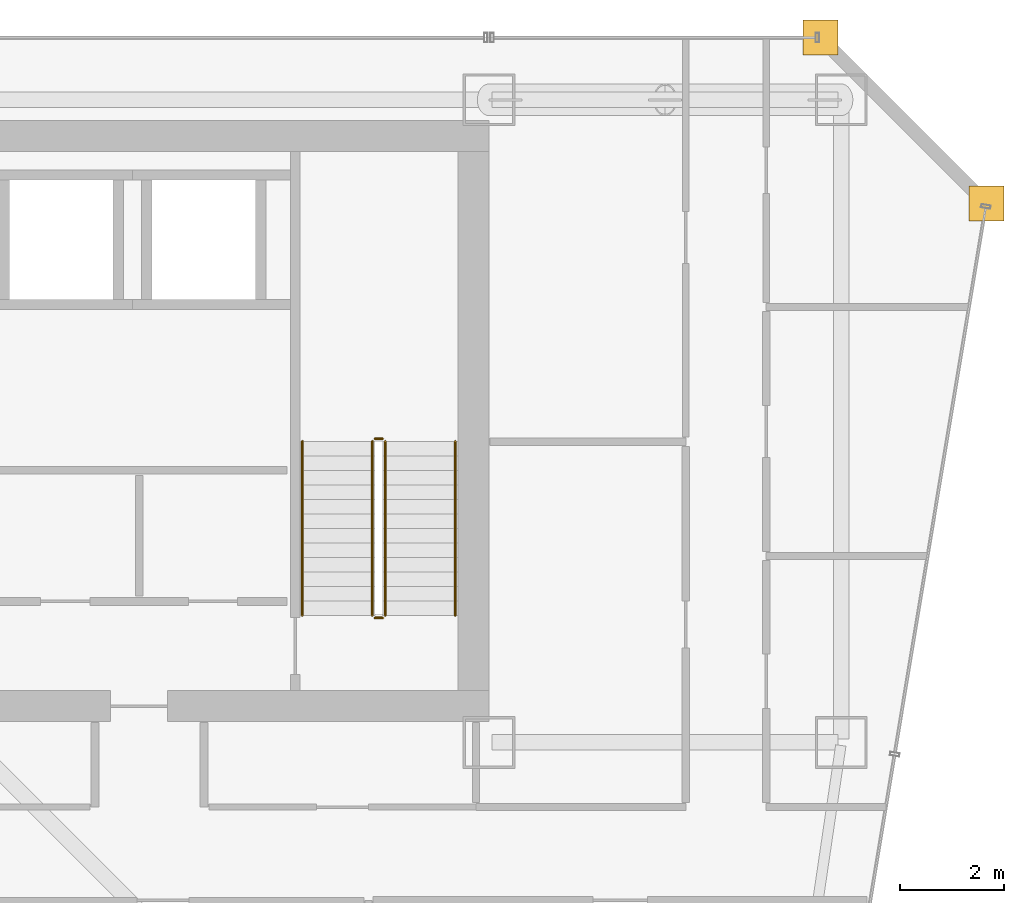
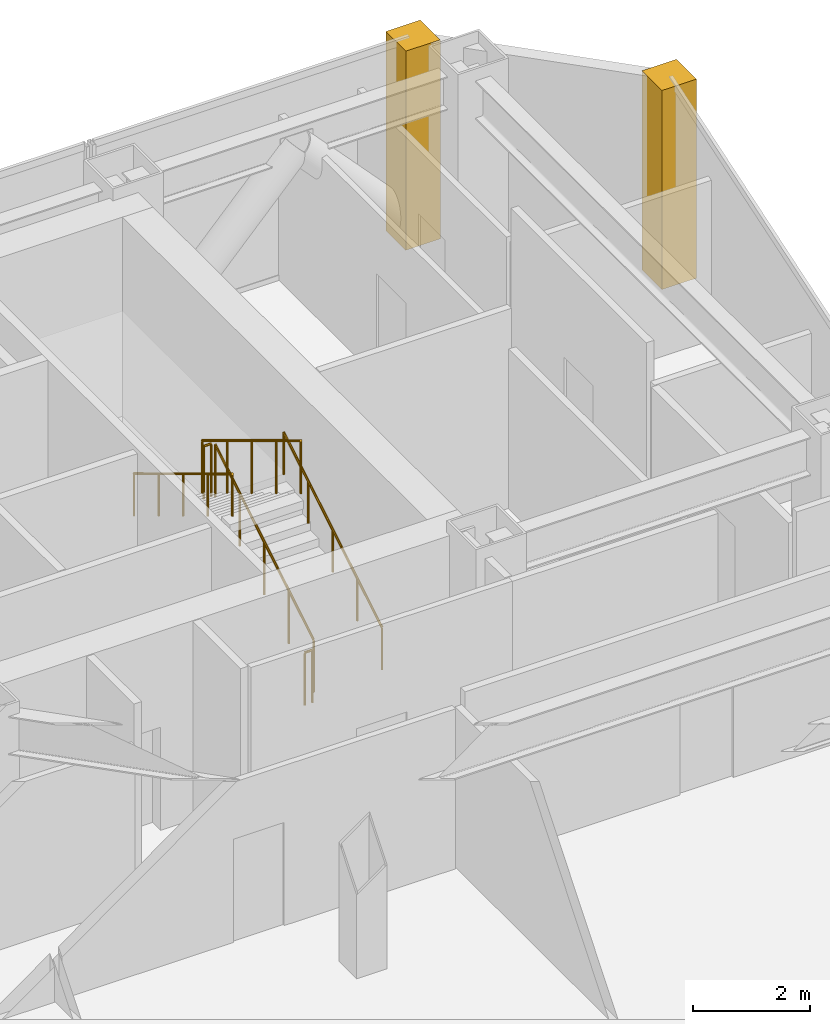
# One storey, part 37 of 37: 6 railings, 2 coverings.
"""IFC4 building model written with IfcOpenShell, lengths in metres."""

from ifc_helpers import new_model, si_unit, direction, frame, origin, origin_2d, place, context, subcontext, project, spatial, polyline, circle, outline, extrude, material, layer, layer_set, type_object, element, save


model = new_model("IFC4")

# Units and contexts
model_context = context("Model", 3, precision=1e-05, world=origin(), true_north=direction((0.0, 1.0)))
body_context = subcontext(model_context, "Body", "Model", "MODEL_VIEW")
ifc_project = project(units=[si_unit("LENGTHUNIT", "METRE"), si_unit("AREAUNIT", "SQUARE_METRE"), si_unit("VOLUMEUNIT", "CUBIC_METRE"), si_unit("PLANEANGLEUNIT", "RADIAN"), si_unit("MASSUNIT", "GRAM", prefix="KILO")], contexts=[model_context])

# Site, building, storey
site_placement = place(None, origin())
site = spatial("IfcSite", under=ifc_project, at=site_placement, CompositionType="ELEMENT")
building_placement = place(site_placement, origin())
building = spatial("IfcBuilding", under=site, at=building_placement, Name="Saevonmaru Cultural Tower", CompositionType="ELEMENT")
storey_placement = place(building_placement, frame((0.0, 0.0, 110.39990234375)))
storey = spatial("IfcBuildingStorey", under=building, at=storey_placement, Name="L23", CompositionType="ELEMENT", Elevation=110.39990234375)

# Coverings
ifc_material_1 = material(Name="Satin Bronze Anodised Aluminium", Category="aluminium")
ifc_layer = layer(ifc_material_1, 0.679931640625, Name="Satin Bronze Anodised Aluminium")
ifc_layer_set = layer_set([ifc_layer], Name="Satin Bronze Anodised Aluminium")
covering_type = type_object("IfcCoveringType", Name="CV-CORNER-CLAD", PredefinedType="CLADDING", material=ifc_layer_set)
covering_1_placement = place(storey_placement, origin())
element("IfcCovering", 1, at=covering_1_placement, inside=storey, type_object=covering_type, Name="L23 Tower Bronze Corner Cladding Pier 9", PredefinedType="CLADDING", context=body_context, shape_type="SweptSolid", body=[
    extrude(outline(polyline([(55.659912109375, 52.4599609375), (56.340087890625, 52.4599609375), (56.340087890625, 53.139892578125), (55.659912109375, 53.139892578125), (55.659912109375, 52.4599609375)])), origin(), (0.0, 0.0, 1.0), 4.150146484375),
])
covering_2_placement = place(storey_placement, origin())
element("IfcCovering", 2, at=covering_2_placement, inside=storey, type_object=covering_type, Name="L23 Tower Bronze Corner Cladding Pier 10", PredefinedType="CLADDING", context=body_context, shape_type="SweptSolid", body=[
    extrude(outline(polyline([(52.4599609375, 55.659912109375), (53.139892578125, 55.659912109375), (53.139892578125, 56.340087890625), (52.4599609375, 56.340087890625), (52.4599609375, 55.659912109375)])), origin(), (0.0, 0.0, 1.0), 4.150146484375),
])

# Railings
ifc_material_2 = material(Name="Architectural Painted Steel", Category="steel")
railing_type_1 = type_object("IfcRailingType", Name="RL-STAIR-GUARD", PredefinedType="GUARDRAIL", material=ifc_material_2)
railing_1_placement = place(storey_placement, frame((44.39990234375, 44.85009765625, 0.16943359375)))
element("IfcRailing", 3, at=railing_1_placement, inside=storey, type_object=railing_type_1, Name="L23 ST-2 stair guard 1", PredefinedType="GUARDRAIL", context=body_context, shape_type="SweptSolid", body=[
    extrude(circle(Radius=0.02392578125, at=origin_2d()), frame((0.0, 0.0, 1.09619140625), z_axis=(0.0, 0.855820338506, 0.51727318527), x_axis=(-1.0, 0.0, 0.0)), (0.0, 0.0, 1.0), 3.92578125),
    extrude(circle(Radius=0.02099609375, at=origin_2d()), origin(), (0.0, 0.0, 1.0), 1.072021484375),
    extrude(circle(Radius=0.02099609375, at=origin_2d()), frame((0.0, 0.83984375, 0.5078125)), (0.0, 0.0, 1.0), 1.072021484375),
    extrude(circle(Radius=0.02099609375, at=origin_2d()), frame((0.0, 1.679931640625, 1.015380859375)), (0.0, 0.0, 1.0), 1.072021484375),
    extrude(circle(Radius=0.02099609375, at=origin_2d()), frame((0.0, 2.52001953125, 1.52294921875)), (0.0, 0.0, 1.0), 1.072021484375),
    extrude(circle(Radius=0.02099609375, at=origin_2d()), frame((0.0, 3.35986328125, 2.03076171875)), (0.0, 0.0, 1.0), 1.072021484375),
])
railing_2_placement = place(storey_placement, frame((44.35009765625, 48.260009765625, 2.2001953125)))
element("IfcRailing", 4, at=railing_2_placement, inside=storey, type_object=railing_type_1, Name="L23 ST-2 stair guard 2", PredefinedType="GUARDRAIL", context=body_context, shape_type="SweptSolid", body=[
    extrude(circle(Radius=0.02392578125, at=origin_2d()), frame((0.0, 0.0, 1.09619140625), z_axis=(-1.0, 0.0, 0.0), x_axis=(0.0, -1.0, 0.0)), (0.0, 0.0, 1.0), 0.150146484375),
    extrude(circle(Radius=0.02099609375, at=origin_2d()), origin(), (0.0, 0.0, 1.0), 1.072021484375),
    extrude(circle(Radius=0.02099609375, at=origin_2d()), frame((-0.150146484375, 0.0, 0.0)), (0.0, 0.0, 1.0), 1.072021484375),
])
railing_3_placement = place(storey_placement, frame((44.14990234375, 48.2099609375, 2.369384765625)))
element("IfcRailing", 5, at=railing_3_placement, inside=storey, type_object=railing_type_1, Name="L23 ST-2 stair guard 3", PredefinedType="GUARDRAIL", context=body_context, shape_type="SweptSolid", body=[
    extrude(circle(Radius=0.02392578125, at=origin_2d()), frame((0.0, 0.0, 1.09619140625), z_axis=(0.0, -0.855820338506, 0.51727318527), x_axis=(1.0, 0.0, 0.0)), (0.0, 0.0, 1.0), 3.92578125),
    extrude(circle(Radius=0.02099609375, at=origin_2d()), origin(), (0.0, 0.0, 1.0), 1.072021484375),
    extrude(circle(Radius=0.02099609375, at=origin_2d()), frame((0.0, -0.83984375, 0.5078125)), (0.0, 0.0, 1.0), 1.072021484375),
    extrude(circle(Radius=0.02099609375, at=origin_2d()), frame((0.0, -1.679931640625, 1.015380859375)), (0.0, 0.0, 1.0), 1.072021484375),
    extrude(circle(Radius=0.02099609375, at=origin_2d()), frame((0.0, -2.52001953125, 1.52294921875)), (0.0, 0.0, 1.0), 1.072021484375),
    extrude(circle(Radius=0.02099609375, at=origin_2d()), frame((0.0, -3.35986328125, 2.03076171875)), (0.0, 0.0, 1.0), 1.072021484375),
])
railing_4_placement = place(storey_placement, frame((44.35009765625, 44.800048828125, 0.0)))
element("IfcRailing", 6, at=railing_4_placement, inside=storey, type_object=railing_type_1, Name="L23 ST-2 stair guard 4", PredefinedType="GUARDRAIL", context=body_context, shape_type="SweptSolid", body=[
    extrude(circle(Radius=0.02392578125, at=origin_2d()), frame((0.0, 0.0, 1.09619140625), z_axis=(-1.0, 0.0, 0.0), x_axis=(0.0, -1.0, 0.0)), (0.0, 0.0, 1.0), 0.150146484375),
    extrude(circle(Radius=0.02099609375, at=origin_2d()), origin(), (0.0, 0.0, 1.0), 1.072021484375),
    extrude(circle(Radius=0.02099609375, at=origin_2d()), frame((-0.150146484375, 0.0, 0.0)), (0.0, 0.0, 1.0), 1.072021484375),
])
railing_type_2 = type_object("IfcRailingType", Name="RL-STAIR-HANDRAIL", PredefinedType="HANDRAIL", material=ifc_material_1)
railing_5_placement = place(storey_placement, frame((45.75, 44.85009765625, 0.16943359375)))
element("IfcRailing", 7, at=railing_5_placement, inside=storey, type_object=railing_type_2, Name="L23 ST-2 stair handrail 1", PredefinedType="HANDRAIL", context=body_context, shape_type="SweptSolid", body=[
    extrude(circle(Radius=0.02392578125, at=origin_2d()), frame((0.0, 0.0, 0.8759765625), z_axis=(0.0, 0.855820338506, 0.51727318527), x_axis=(-1.0, 0.0, 0.0)), (0.0, 0.0, 1.0), 3.92578125),
    extrude(circle(Radius=0.02099609375, at=origin_2d()), origin(), (0.0, 0.0, 1.0), 0.851806640625),
    extrude(circle(Radius=0.02099609375, at=origin_2d()), frame((0.0, 0.83984375, 0.5078125)), (0.0, 0.0, 1.0), 0.851806640625),
    extrude(circle(Radius=0.02099609375, at=origin_2d()), frame((0.0, 1.679931640625, 1.015380859375)), (0.0, 0.0, 1.0), 0.851806640625),
    extrude(circle(Radius=0.02099609375, at=origin_2d()), frame((0.0, 2.52001953125, 1.52294921875)), (0.0, 0.0, 1.0), 0.851806640625),
    extrude(circle(Radius=0.02099609375, at=origin_2d()), frame((0.0, 3.35986328125, 2.03076171875)), (0.0, 0.0, 1.0), 0.851806640625),
])
railing_6_placement = place(storey_placement, frame((42.800048828125, 48.2099609375, 2.369384765625)))
element("IfcRailing", 8, at=railing_6_placement, inside=storey, type_object=railing_type_2, Name="L23 ST-2 stair handrail 2", PredefinedType="HANDRAIL", context=body_context, shape_type="SweptSolid", body=[
    extrude(circle(Radius=0.02392578125, at=origin_2d()), frame((0.0, 0.0, 0.8759765625), z_axis=(0.0, -0.855820338506, 0.51727318527), x_axis=(1.0, 0.0, 0.0)), (0.0, 0.0, 1.0), 3.92578125),
    extrude(circle(Radius=0.02099609375, at=origin_2d()), origin(), (0.0, 0.0, 1.0), 0.851806640625),
    extrude(circle(Radius=0.02099609375, at=origin_2d()), frame((0.0, -0.83984375, 0.5078125)), (0.0, 0.0, 1.0), 0.851806640625),
    extrude(circle(Radius=0.02099609375, at=origin_2d()), frame((0.0, -1.679931640625, 1.015380859375)), (0.0, 0.0, 1.0), 0.851806640625),
    extrude(circle(Radius=0.02099609375, at=origin_2d()), frame((0.0, -2.52001953125, 1.52294921875)), (0.0, 0.0, 1.0), 0.851806640625),
    extrude(circle(Radius=0.02099609375, at=origin_2d()), frame((0.0, -3.35986328125, 2.03076171875)), (0.0, 0.0, 1.0), 0.851806640625),
])

save(model, "model.ifc")
